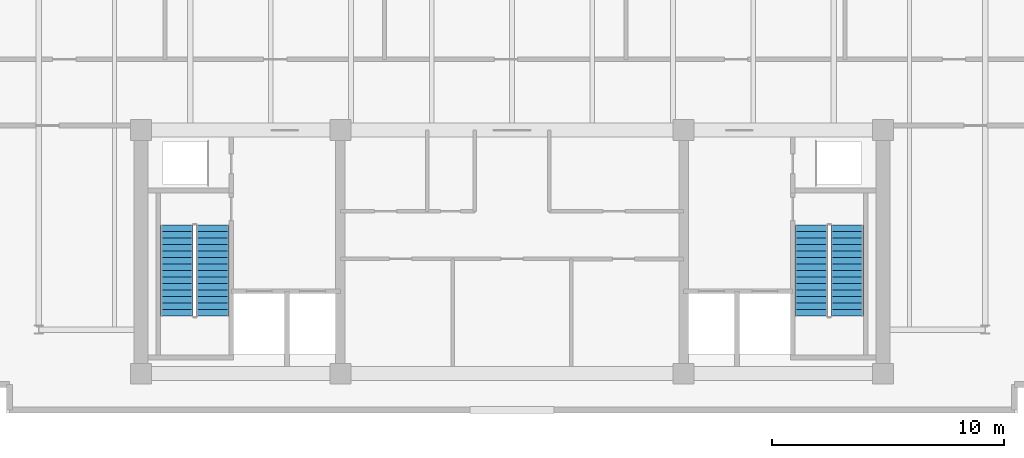
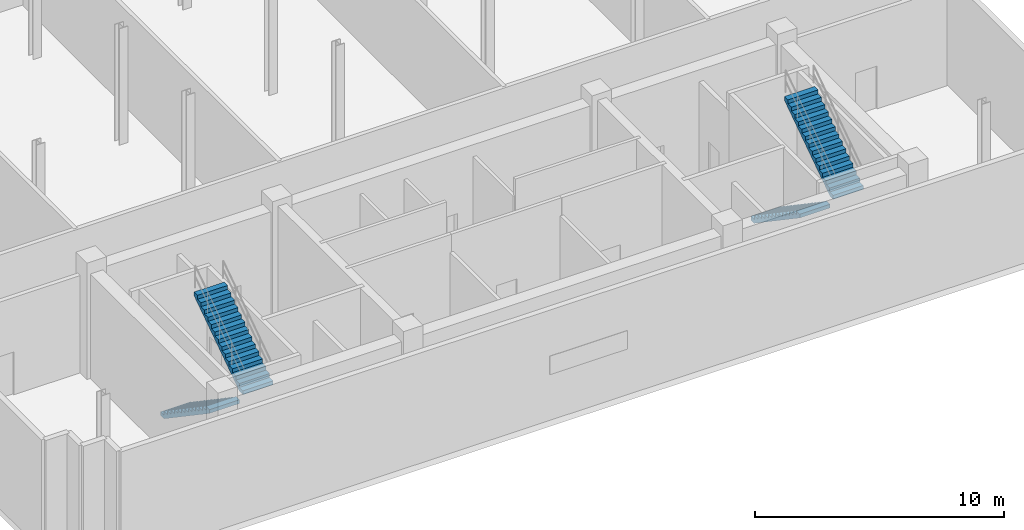
# One storey, part 4 of 6: 4 stair flights, 2 elements without a shape of their own.
"""IFC4 building model written with IfcOpenShell, lengths in metres."""

from ifc_helpers import new_model, si_unit, direction, frame, origin, place, context, subcontext, project, spatial, polyline, outline, extrude, material, type_object, element, aggregate, save


model = new_model("IFC4")

# Units and contexts
model_context = context("Model", 3, precision=1e-05, world=origin(), true_north=direction((0.0, 1.0)))
body_context = subcontext(model_context, "Body", "Model", "MODEL_VIEW")
ifc_project = project(units=[si_unit("LENGTHUNIT", "METRE"), si_unit("AREAUNIT", "SQUARE_METRE"), si_unit("VOLUMEUNIT", "CUBIC_METRE"), si_unit("PLANEANGLEUNIT", "RADIAN"), si_unit("MASSUNIT", "GRAM", prefix="KILO")], contexts=[model_context])

# Site, building, storey
site_placement = place(None, origin())
site = spatial("IfcSite", under=ifc_project, at=site_placement, CompositionType="ELEMENT")
building_placement = place(site_placement, origin())
building = spatial("IfcBuilding", under=site, at=building_placement, Name="Solmavex Isthmus Hotel", CompositionType="ELEMENT")
storey_placement = place(building_placement, frame((0.0, 0.0, 297.0)))
storey = spatial("IfcBuildingStorey", under=building, at=storey_placement, Name="L80", CompositionType="ELEMENT", Elevation=297.0)

# Stair, stair flights
ifc_material = material(Name="Concrete C40/50", Category="concrete")
stair_type_1 = type_object("IfcStairType", Name="STR-ST-1", PredefinedType="HALF_TURN_STAIR", material=ifc_material)
stair_1_placement = place(storey_placement, origin())
stair_1 = element("IfcStair", 1, at=stair_1_placement, inside=storey, type_object=stair_type_1, Name="L80 Protected Exit Stair ST-1", PredefinedType="HALF_TURN_STAIR")
stair_flight_type_1 = type_object("IfcStairFlightType", Name="SFL-ST-1", PredefinedType="STRAIGHT", material=ifc_material)
stair_flight_1_placement = place(storey_placement, frame((-14.449951171875, -6.60009765625, 0.0), z_axis=(0.0, 0.0, 1.0), x_axis=(0.0, -1.0, 0.0)))
stair_flight_1 = element("IfcStairFlight", 2, at=stair_flight_1_placement, type_object=stair_flight_type_1, Name="ST-1 flight 1", NumberOfRisers=15, NumberOfTreads=14, PredefinedType="STRAIGHT", RiserHeight=0.19, TreadLength=0.28, context=body_context, shape_type="SweptSolid", body=[
    extrude(outline(polyline([(0.0, 0.0), (0.0, 0.18994140625), (0.280029296875, 0.18994140625), (0.280029296875, 0.3798828125), (0.56005859375, 0.3798828125), (0.56005859375, 0.570068359375), (0.840087890625, 0.570068359375), (0.840087890625, 0.760009765625), (1.1201171875, 0.760009765625), (1.1201171875, 0.949951171875), (1.39990234375, 0.949951171875), (1.39990234375, 1.139892578125), (1.679931640625, 1.139892578125), (1.679931640625, 1.330078125), (1.9599609375, 1.330078125), (1.9599609375, 1.52001953125), (2.239990234375, 1.52001953125), (2.239990234375, 1.7099609375), (2.52001953125, 1.7099609375), (2.52001953125, 1.89990234375), (2.800048828125, 1.89990234375), (2.800048828125, 2.090087890625), (3.080078125, 2.090087890625), (3.080078125, 2.280029296875), (3.360107421875, 2.280029296875), (3.360107421875, 2.469970703125), (3.639892578125, 2.469970703125), (3.639892578125, 2.659912109375), (3.919921875, 2.659912109375), (3.919921875, 2.85009765625), (3.919921875, 2.478759765625), (0.266845703125, 0.0), (0.0, 0.0)])), frame((0.0, 0.699951171875, 0.0), z_axis=(0.0, -1.0, 0.0), x_axis=(1.0, 0.0, 0.0)), (0.0, 0.0, 1.0), 1.39990234375),
])
stair_flight_2_placement = place(storey_placement, frame((-12.89990234375, -10.52001953125, 2.85009765625), z_axis=(0.0, 0.0, 1.0), x_axis=(0.0, 1.0, 0.0)))
stair_flight_2 = element("IfcStairFlight", 3, at=stair_flight_2_placement, type_object=stair_flight_type_1, Name="ST-1 flight 2", NumberOfRisers=15, NumberOfTreads=14, PredefinedType="STRAIGHT", RiserHeight=0.19, TreadLength=0.28, context=body_context, shape_type="SweptSolid", body=[
    extrude(outline(polyline([(0.0, 0.0), (0.0, 0.18994140625), (0.280029296875, 0.18994140625), (0.280029296875, 0.3798828125), (0.56005859375, 0.3798828125), (0.56005859375, 0.570068359375), (0.840087890625, 0.570068359375), (0.840087890625, 0.760009765625), (1.1201171875, 0.760009765625), (1.1201171875, 0.949951171875), (1.39990234375, 0.949951171875), (1.39990234375, 1.139892578125), (1.679931640625, 1.139892578125), (1.679931640625, 1.330078125), (1.9599609375, 1.330078125), (1.9599609375, 1.52001953125), (2.239990234375, 1.52001953125), (2.239990234375, 1.7099609375), (2.52001953125, 1.7099609375), (2.52001953125, 1.89990234375), (2.800048828125, 1.89990234375), (2.800048828125, 2.090087890625), (3.080078125, 2.090087890625), (3.080078125, 2.280029296875), (3.360107421875, 2.280029296875), (3.360107421875, 2.469970703125), (3.639892578125, 2.469970703125), (3.639892578125, 2.659912109375), (3.919921875, 2.659912109375), (3.919921875, 2.85009765625), (3.919921875, 2.478759765625), (0.266845703125, 0.0), (0.0, 0.0)])), frame((0.0, 0.699951171875, 0.0), z_axis=(0.0, -1.0, 0.0), x_axis=(1.0, 0.0, 0.0)), (0.0, 0.0, 1.0), 1.39990234375),
])
aggregate(stair_1, [stair_flight_1, stair_flight_2])

stair_type_2 = type_object("IfcStairType", Name="STR-ST-2", PredefinedType="HALF_TURN_STAIR", material=ifc_material)
stair_2_placement = place(storey_placement, origin())
stair_2 = element("IfcStair", 4, at=stair_2_placement, inside=storey, type_object=stair_type_2, Name="L80 Protected Exit Stair ST-2", PredefinedType="HALF_TURN_STAIR")
stair_flight_type_2 = type_object("IfcStairFlightType", Name="SFL-ST-2", PredefinedType="STRAIGHT", material=ifc_material)
stair_flight_3_placement = place(storey_placement, frame((12.89990234375, -6.60009765625, 0.0), z_axis=(0.0, 0.0, 1.0), x_axis=(0.0, -1.0, 0.0)))
stair_flight_3 = element("IfcStairFlight", 5, at=stair_flight_3_placement, type_object=stair_flight_type_2, Name="ST-2 flight 1", NumberOfRisers=15, NumberOfTreads=14, PredefinedType="STRAIGHT", RiserHeight=0.19, TreadLength=0.28, context=body_context, shape_type="SweptSolid", body=[
    extrude(outline(polyline([(0.0, 0.0), (0.0, 0.18994140625), (0.280029296875, 0.18994140625), (0.280029296875, 0.3798828125), (0.56005859375, 0.3798828125), (0.56005859375, 0.570068359375), (0.840087890625, 0.570068359375), (0.840087890625, 0.760009765625), (1.1201171875, 0.760009765625), (1.1201171875, 0.949951171875), (1.39990234375, 0.949951171875), (1.39990234375, 1.139892578125), (1.679931640625, 1.139892578125), (1.679931640625, 1.330078125), (1.9599609375, 1.330078125), (1.9599609375, 1.52001953125), (2.239990234375, 1.52001953125), (2.239990234375, 1.7099609375), (2.52001953125, 1.7099609375), (2.52001953125, 1.89990234375), (2.800048828125, 1.89990234375), (2.800048828125, 2.090087890625), (3.080078125, 2.090087890625), (3.080078125, 2.280029296875), (3.360107421875, 2.280029296875), (3.360107421875, 2.469970703125), (3.639892578125, 2.469970703125), (3.639892578125, 2.659912109375), (3.919921875, 2.659912109375), (3.919921875, 2.85009765625), (3.919921875, 2.478759765625), (0.266845703125, 0.0), (0.0, 0.0)])), frame((0.0, 0.699951171875, 0.0), z_axis=(0.0, -1.0, 0.0), x_axis=(1.0, 0.0, 0.0)), (0.0, 0.0, 1.0), 1.39990234375),
])
stair_flight_4_placement = place(storey_placement, frame((14.449951171875, -10.52001953125, 2.85009765625), z_axis=(0.0, 0.0, 1.0), x_axis=(0.0, 1.0, 0.0)))
stair_flight_4 = element("IfcStairFlight", 6, at=stair_flight_4_placement, type_object=stair_flight_type_2, Name="ST-2 flight 2", NumberOfRisers=15, NumberOfTreads=14, PredefinedType="STRAIGHT", RiserHeight=0.19, TreadLength=0.28, context=body_context, shape_type="SweptSolid", body=[
    extrude(outline(polyline([(0.0, 0.0), (0.0, 0.18994140625), (0.280029296875, 0.18994140625), (0.280029296875, 0.3798828125), (0.56005859375, 0.3798828125), (0.56005859375, 0.570068359375), (0.840087890625, 0.570068359375), (0.840087890625, 0.760009765625), (1.1201171875, 0.760009765625), (1.1201171875, 0.949951171875), (1.39990234375, 0.949951171875), (1.39990234375, 1.139892578125), (1.679931640625, 1.139892578125), (1.679931640625, 1.330078125), (1.9599609375, 1.330078125), (1.9599609375, 1.52001953125), (2.239990234375, 1.52001953125), (2.239990234375, 1.7099609375), (2.52001953125, 1.7099609375), (2.52001953125, 1.89990234375), (2.800048828125, 1.89990234375), (2.800048828125, 2.090087890625), (3.080078125, 2.090087890625), (3.080078125, 2.280029296875), (3.360107421875, 2.280029296875), (3.360107421875, 2.469970703125), (3.639892578125, 2.469970703125), (3.639892578125, 2.659912109375), (3.919921875, 2.659912109375), (3.919921875, 2.85009765625), (3.919921875, 2.478759765625), (0.266845703125, 0.0), (0.0, 0.0)])), frame((0.0, 0.699951171875, 0.0), z_axis=(0.0, -1.0, 0.0), x_axis=(1.0, 0.0, 0.0)), (0.0, 0.0, 1.0), 1.39990234375),
])
aggregate(stair_2, [stair_flight_3, stair_flight_4])

save(model, "model.ifc")
